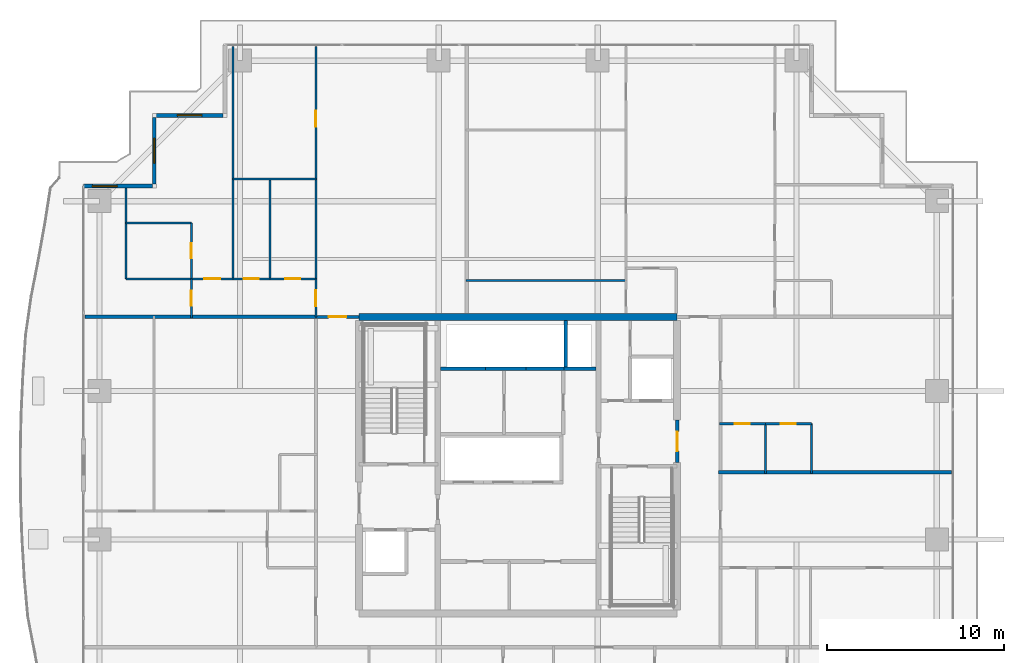
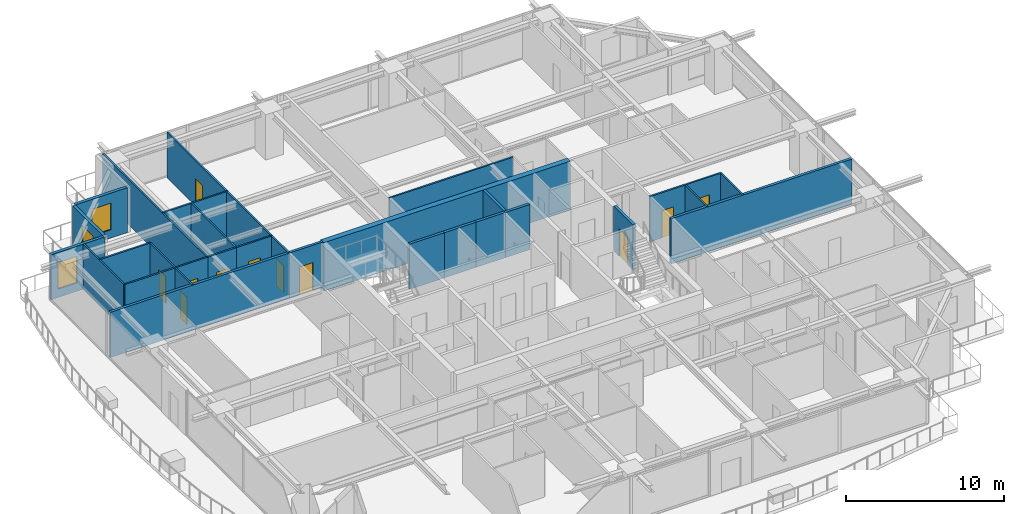
# One storey, part 27 of 34: 32 walls, 11 doors, 3 windows, 14 openings.
"""IFC4 building model written with IfcOpenShell, lengths in metres."""

from ifc_helpers import new_model, si_unit, direction, frame, frame_2d, origin, place, context, subcontext, project, spatial, rectangle, extrude, source, transform, mapped, material, layer, layer_set, type_object, element, fill, save


model = new_model("IFC4")

# Units and contexts
model_context = context("Model", 3, precision=1e-05, world=origin(), true_north=direction((0.0, 1.0)))
body_context = subcontext(model_context, "Body", "Model", "MODEL_VIEW")
ifc_project = project(units=[si_unit("LENGTHUNIT", "METRE"), si_unit("AREAUNIT", "SQUARE_METRE"), si_unit("VOLUMEUNIT", "CUBIC_METRE"), si_unit("PLANEANGLEUNIT", "RADIAN"), si_unit("MASSUNIT", "GRAM", prefix="KILO")], contexts=[model_context])

# Site, building, storey
site_placement = place(None, origin())
site = spatial("IfcSite", under=ifc_project, at=site_placement, CompositionType="ELEMENT")
building_placement = place(site_placement, origin())
building = spatial("IfcBuilding", under=site, at=building_placement, Name="Serunith Strait Residences", CompositionType="ELEMENT")
storey_placement = place(building_placement, frame((0.0, 0.0, 187.64990234375)))
storey = spatial("IfcBuildingStorey", under=building, at=storey_placement, Name="L47", CompositionType="ELEMENT", Elevation=187.64990234375)

# Wall, opening, window
ifc_material_1 = material(Name="Pale-Champagne Aluminium Insulated Panel", Category="aluminium")
ifc_layer_1 = layer(ifc_material_1, 0.219970703125, Name="Pale-Champagne Aluminium Insulated Panel")
ifc_layer_set_1 = layer_set([ifc_layer_1], Name="Pale-Champagne Aluminium Insulated Panel")
wall_type_1 = type_object("IfcWallType", Name="EW-ALUM-220", PredefinedType="ELEMENTEDWALL", material=ifc_layer_set_1)
wall_1_placement = place(storey_placement, frame((15.68994140625, 45.0, 0.0), z_axis=(0.0, 0.0, 1.0), x_axis=(-1.0, 0.0, 0.0)))
wall_1 = element("IfcWall", 1, at=wall_1_placement, inside=storey, type_object=wall_type_1, Name="L47 Girih Serrated Corner Wall 13", PredefinedType="ELEMENTEDWALL", context=body_context, shape_type="SweptSolid", body=[
    extrude(rectangle(XDim=3.780029296875, YDim=0.219970703125, at=frame_2d((1.89013671875, 0.0))), origin(), (0.0, 0.0, 1.0), 3.47509765625),
])
opening_1_placement = place(wall_1_placement, frame((1.18994140625, 0.0, 0.64990234375)))
opening_1 = element("IfcOpeningElement", 2, at=opening_1_placement, cuts=wall_1, Name="Opening W-03", PredefinedType="OPENING", context=body_context, shape_type="SweptSolid", body=[
    extrude(rectangle(XDim=1.39990234375, YDim=2.050048828125, at=frame_2d((0.699951171875, 1.02490234375))), frame((0.0, 0.1201171875, 0.0), z_axis=(0.0, -1.0, 0.0), x_axis=(1.0, 0.0, 0.0)), (0.0, 0.0, 1.0), 0.239990234375),
])
ifc_material_2 = material(Name="Ceramic-Fritted Operable Aluminium Window Glass", Category="aluminium")
window_type = type_object("IfcWindowType", Name="WIN-C3", PartitioningType="SINGLE_PANEL", PredefinedType="WINDOW", material=ifc_material_2)
shared_shape_1 = source(origin(), body_context, "Body", "SweptSolid", [
    extrude(rectangle(XDim=1.39990234375, YDim=2.050048828125, at=frame_2d((0.699951171875, 1.02490234375))), frame((0.0, 0.030029296875, 0.0), z_axis=(0.0, -1.0, 0.0), x_axis=(1.0, 0.0, 0.0)), (0.0, 0.0, 1.0), 0.06005859375),
])
window_1_placement = place(opening_1_placement, origin())
window_1 = element("IfcWindow", 3, at=window_1_placement, inside=storey, type_object=window_type, Name="L47 Corner Operable Fritted Window 13", OverallHeight=2.050048828125, OverallWidth=1.39990234375, PartitioningType="SINGLE_PANEL", PredefinedType="WINDOW", context=body_context, shape_type="MappedRepresentation", body=[
    mapped(shared_shape_1, transform((0.0, 0.0, 0.0), scale=1.0)),
])
fill(opening_1, window_1)

wall_2_placement = place(storey_placement, frame((11.800048828125, 44.889892578125, 0.0), z_axis=(0.0, 0.0, 1.0), x_axis=(0.0, -1.0, 0.0)))
wall_2 = element("IfcWall", 4, at=wall_2_placement, inside=storey, type_object=wall_type_1, Name="L47 Girih Serrated Corner Wall 14", PredefinedType="ELEMENTEDWALL", context=body_context, shape_type="SweptSolid", body=[
    extrude(rectangle(XDim=3.77978515625, YDim=0.219970703125, at=frame_2d((1.889892578125, 0.0))), origin(), (0.0, 0.0, 1.0), 3.47509765625),
])
opening_2_placement = place(wall_2_placement, frame((1.18994140625, 0.0, 0.64990234375)))
opening_2 = element("IfcOpeningElement", 5, at=opening_2_placement, cuts=wall_2, Name="Opening W-03", PredefinedType="OPENING", context=body_context, shape_type="SweptSolid", body=[
    extrude(rectangle(XDim=1.39990234375, YDim=2.050048828125, at=frame_2d((0.699951171875, 1.02490234375))), frame((0.0, 0.1201171875, 0.0), z_axis=(0.0, -1.0, 0.0), x_axis=(1.0, 0.0, 0.0)), (0.0, 0.0, 1.0), 0.239990234375),
])
window_2_placement = place(opening_2_placement, origin())
window_2 = element("IfcWindow", 6, at=window_2_placement, inside=storey, type_object=window_type, Name="L47 Corner Operable Fritted Window 14", OverallHeight=2.050048828125, OverallWidth=1.39990234375, PartitioningType="SINGLE_PANEL", PredefinedType="WINDOW", context=body_context, shape_type="MappedRepresentation", body=[
    mapped(shared_shape_1, transform((0.0, 0.0, 0.0), scale=1.0)),
])
fill(opening_2, window_2)

wall_3_placement = place(storey_placement, frame((11.68994140625, 41.0, 0.0), z_axis=(0.0, 0.0, 1.0), x_axis=(-1.0, 0.0, 0.0)))
wall_3 = element("IfcWall", 7, at=wall_3_placement, inside=storey, type_object=wall_type_1, Name="L47 Girih Serrated Corner Wall 15", PredefinedType="ELEMENTEDWALL", context=body_context, shape_type="SweptSolid", body=[
    extrude(rectangle(XDim=3.889892578125, YDim=0.219970703125, at=frame_2d((1.94482421875, 0.0))), origin(), (0.0, 0.0, 1.0), 3.47509765625),
])
opening_3_placement = place(wall_3_placement, frame((1.991943359375, 0.0, 0.64990234375)))
opening_3 = element("IfcOpeningElement", 8, at=opening_3_placement, cuts=wall_3, Name="Opening W-03", PredefinedType="OPENING", context=body_context, shape_type="SweptSolid", body=[
    extrude(rectangle(XDim=1.39990234375, YDim=2.050048828125, at=frame_2d((0.699951171875, 1.02490234375))), frame((0.0, 0.1201171875, 0.0), z_axis=(0.0, -1.0, 0.0), x_axis=(1.0, 0.0, 0.0)), (0.0, 0.0, 1.0), 0.239990234375),
])
window_3_placement = place(opening_3_placement, origin())
window_3 = element("IfcWindow", 9, at=window_3_placement, inside=storey, type_object=window_type, Name="L47 Corner Operable Fritted Window 15", OverallHeight=2.050048828125, OverallWidth=1.39990234375, PartitioningType="SINGLE_PANEL", PredefinedType="WINDOW", context=body_context, shape_type="MappedRepresentation", body=[
    mapped(shared_shape_1, transform((0.0, 0.0, 0.0), scale=1.0)),
])
fill(opening_3, window_3)

# Wall, opening, door
ifc_material_3 = material(Name="Fire-rated acoustic gypsum partition")
ifc_layer_2 = layer(ifc_material_3, 0.179931640625, Name="Fire-rated acoustic gypsum partition")
ifc_layer_set_2 = layer_set([ifc_layer_2], Name="Fire-rated acoustic gypsum partition")
wall_type_2 = type_object("IfcWallType", Name="IW-CORR-180", PredefinedType="PARTITIONING", material=ifc_layer_set_2)
wall_4_placement = place(storey_placement, frame((20.951904296875, 33.60009765625, 0.0), z_axis=(0.0, 0.0, 1.0), x_axis=(1.0, 0.0, 0.0)))
wall_4 = element("IfcWall", 10, at=wall_4_placement, inside=storey, type_object=wall_type_2, Name="L47 Partition Wall 027", PredefinedType="PARTITIONING", context=body_context, shape_type="SweptSolid", body=[
    extrude(rectangle(XDim=2.446044921875, YDim=0.179931640625, at=frame_2d((1.22314453125, 0.0))), origin(), (0.0, 0.0, 1.0), 3.489990234375),
])
opening_4_placement = place(wall_4_placement, frame((0.722900390625, 0.0, 0.0)))
opening_4 = element("IfcOpeningElement", 11, at=opening_4_placement, cuts=wall_4, Name="Opening D-APT1000", PredefinedType="OPENING", context=body_context, shape_type="SweptSolid", body=[
    extrude(rectangle(XDim=1.0, YDim=2.14990234375, at=frame_2d((0.5, 1.074951171875))), frame((0.0, 0.10009765625, 0.0), z_axis=(0.0, -1.0, 0.0), x_axis=(1.0, 0.0, 0.0)), (0.0, 0.0, 1.0), 0.199951171875),
])
ifc_material_4 = material(Name="Solid timber engineered fire door", Category="wood")
door_type_1 = type_object("IfcDoorType", Name="ID-APT-1000", OperationType="NOTDEFINED", PredefinedType="DOOR", material=ifc_material_4)
shared_shape_2 = source(origin(), body_context, "Body", "SweptSolid", [
    extrude(rectangle(XDim=1.0, YDim=2.14990234375, at=frame_2d((0.5, 1.074951171875))), frame((0.0, 0.02490234375, 0.0), z_axis=(0.0, -1.0, 0.0), x_axis=(1.0, 0.0, 0.0)), (0.0, 0.0, 1.0), 0.050048828125),
])
door_1_placement = place(opening_4_placement, origin())
door_1 = element("IfcDoor", 12, at=door_1_placement, inside=storey, type_object=door_type_1, Name="L47 Unit 02 Entrance Door", OperationType="SINGLE_SWING_LEFT", OverallHeight=2.14990234375, OverallWidth=1.0, PredefinedType="DOOR", context=body_context, shape_type="MappedRepresentation", body=[
    mapped(shared_shape_2, transform((0.0, 0.0, 0.0), scale=1.0)),
])
fill(opening_4, door_1)

ifc_material_5 = material(Name="Lightweight steel-stud gypsum partition", Category="steel")
ifc_layer_3 = layer(ifc_material_5, 0.1201171875, Name="Lightweight steel-stud gypsum partition")
ifc_layer_set_3 = layer_set([ifc_layer_3], Name="Lightweight steel-stud gypsum partition")
wall_type_3 = type_object("IfcWallType", Name="IW-PART-120", PredefinedType="PARTITIONING", material=ifc_layer_set_3)
wall_5_placement = place(storey_placement, frame((20.949951171875, 35.75, 0.0), z_axis=(0.0, 0.0, 1.0), x_axis=(0.0, -1.0, 0.0)))
wall_5 = element("IfcWall", 13, at=wall_5_placement, inside=storey, type_object=wall_type_3, Name="L47 Partition Wall 061", PredefinedType="PARTITIONING", context=body_context, shape_type="SweptSolid", body=[
    extrude(rectangle(XDim=2.14794921875, YDim=0.1201171875, at=frame_2d((1.073974609375, 0.0))), origin(), (0.0, 0.0, 1.0), 3.489990234375),
])
opening_5_placement = place(wall_5_placement, frame((0.64208984375, 0.0, 0.0)))
opening_5 = element("IfcOpeningElement", 14, at=opening_5_placement, cuts=wall_5, Name="Opening D-RM900", PredefinedType="OPENING", context=body_context, shape_type="SweptSolid", body=[
    extrude(rectangle(XDim=0.89990234375, YDim=2.10009765625, at=frame_2d((0.449951171875, 1.050048828125))), frame((0.0, 0.070068359375, 0.0), z_axis=(0.0, -1.0, 0.0), x_axis=(1.0, 0.0, 0.0)), (0.0, 0.0, 1.0), 0.14013671875),
])
ifc_material_6 = material(Name="Engineered timber flush bedroom door", Category="wood")
door_type_2 = type_object("IfcDoorType", Name="ID-ROOM-900", OperationType="NOTDEFINED", PredefinedType="DOOR", material=ifc_material_6)
shared_shape_3 = source(origin(), body_context, "Body", "SweptSolid", [
    extrude(rectangle(XDim=0.89990234375, YDim=2.10009765625, at=frame_2d((0.449951171875, 1.050048828125))), frame((0.0, 0.02490234375, 0.0), z_axis=(0.0, -1.0, 0.0), x_axis=(1.0, 0.0, 0.0)), (0.0, 0.0, 1.0), 0.050048828125),
])
door_2_placement = place(opening_5_placement, origin())
door_2 = element("IfcDoor", 15, at=door_2_placement, inside=storey, type_object=door_type_2, Name="L47 Hall W 4702 Door", OperationType="SINGLE_SWING_RIGHT", OverallHeight=2.10009765625, OverallWidth=0.89990234375, PredefinedType="DOOR", context=body_context, shape_type="MappedRepresentation", body=[
    mapped(shared_shape_3, transform((0.0, 0.0, 0.0), scale=1.0)),
])
fill(opening_5, door_2)

wall_6_placement = place(storey_placement, frame((20.949951171875, 48.905029296875, 0.0), z_axis=(0.0, 0.0, 1.0), x_axis=(0.0, -1.0, 0.0)))
wall_6 = element("IfcWall", 16, at=wall_6_placement, inside=storey, type_object=wall_type_3, Name="L47 Partition Wall 062", PredefinedType="PARTITIONING", context=body_context, shape_type="SweptSolid", body=[
    extrude(rectangle(XDim=7.5009765625, YDim=0.1201171875, at=frame_2d((3.75048828125, 0.0))), origin(), (0.0, 0.0, 1.0), 3.489990234375),
])
opening_6_placement = place(wall_6_placement, frame((3.631103515625, 0.0, 0.0)))
opening_6 = element("IfcOpeningElement", 17, at=opening_6_placement, cuts=wall_6, Name="Opening D-RM900", PredefinedType="OPENING", context=body_context, shape_type="SweptSolid", body=[
    extrude(rectangle(XDim=0.89990234375, YDim=2.10009765625, at=frame_2d((0.449951171875, 1.050048828125))), frame((0.0, 0.070068359375, 0.0), z_axis=(0.0, -1.0, 0.0), x_axis=(1.0, 0.0, 0.0)), (0.0, 0.0, 1.0), 0.14013671875),
])
door_3_placement = place(opening_6_placement, origin())
door_3 = element("IfcDoor", 18, at=door_3_placement, inside=storey, type_object=door_type_2, Name="L47 Formal Dining Room 1 4702 Door", OperationType="SINGLE_SWING_LEFT", OverallHeight=2.10009765625, OverallWidth=0.89990234375, PredefinedType="DOOR", context=body_context, shape_type="MappedRepresentation", body=[
    mapped(shared_shape_3, transform((0.0, 0.0, 0.0), scale=1.0)),
])
fill(opening_6, door_3)

# Walls
wall_7_placement = place(storey_placement, frame((20.949951171875, 41.402099609375, 0.0), z_axis=(0.0, 0.0, 1.0), x_axis=(0.0, -1.0, 0.0)))
element("IfcWall", 19, at=wall_7_placement, inside=storey, type_object=wall_type_3, Name="L47 Partition Wall 063", PredefinedType="PARTITIONING", context=body_context, shape_type="SweptSolid", body=[
    extrude(rectangle(XDim=5.650146484375, YDim=0.1201171875, at=frame_2d((2.8251953125, 0.0))), origin(), (0.0, 0.0, 1.0), 3.489990234375),
])
wall_8_placement = place(storey_placement, frame((16.25, 41.404052734375, 0.0), z_axis=(0.0, 0.0, 1.0), x_axis=(1.0, 0.0, 0.0)))
element("IfcWall", 20, at=wall_8_placement, inside=storey, type_object=wall_type_3, Name="L47 Partition Wall 064", PredefinedType="PARTITIONING", context=body_context, shape_type="SweptSolid", body=[
    extrude(rectangle(XDim=4.699951171875, YDim=0.1201171875, at=frame_2d((2.35009765625, 0.0))), origin(), (0.0, 0.0, 1.0), 3.489990234375),
])
wall_9_placement = place(storey_placement, frame((16.25, 48.905029296875, 0.0), z_axis=(0.0, 0.0, 1.0), x_axis=(0.0, -1.0, 0.0)))
element("IfcWall", 21, at=wall_9_placement, inside=storey, type_object=wall_type_3, Name="L47 Partition Wall 065", PredefinedType="PARTITIONING", context=body_context, shape_type="SweptSolid", body=[
    extrude(rectangle(XDim=13.155029296875, YDim=0.1201171875, at=frame_2d((6.57763671875, 0.0))), origin(), (0.0, 0.0, 1.0), 3.489990234375),
])
wall_10_placement = place(storey_placement, frame((18.35009765625, 41.404052734375, 0.0), z_axis=(0.0, 0.0, 1.0), x_axis=(0.0, -1.0, 0.0)))
element("IfcWall", 22, at=wall_10_placement, inside=storey, type_object=wall_type_3, Name="L47 Partition Wall 066", PredefinedType="PARTITIONING", context=body_context, shape_type="SweptSolid", body=[
    extrude(rectangle(XDim=5.654052734375, YDim=0.1201171875, at=frame_2d((2.8271484375, 0.0))), origin(), (0.0, 0.0, 1.0), 3.489990234375),
])

# Wall, opening, door
wall_11_placement = place(storey_placement, frame((16.25, 35.75, 0.0), z_axis=(0.0, 0.0, 1.0), x_axis=(1.0, 0.0, 0.0)))
wall_11 = element("IfcWall", 23, at=wall_11_placement, inside=storey, type_object=wall_type_3, Name="L47 Partition Wall 067", PredefinedType="PARTITIONING", context=body_context, shape_type="SweptSolid", body=[
    extrude(rectangle(XDim=2.10009765625, YDim=0.1201171875, at=frame_2d((1.050048828125, 0.0))), origin(), (0.0, 0.0, 1.0), 3.489990234375),
])
opening_7_placement = place(wall_11_placement, frame((0.625, 0.0, 0.0)))
opening_7 = element("IfcOpeningElement", 24, at=opening_7_placement, cuts=wall_11, Name="Opening D-BTH850", PredefinedType="OPENING", context=body_context, shape_type="SweptSolid", body=[
    extrude(rectangle(XDim=0.85009765625, YDim=2.10009765625, at=frame_2d((0.425048828125, 1.050048828125))), frame((0.0, 0.070068359375, 0.0), z_axis=(0.0, -1.0, 0.0), x_axis=(1.0, 0.0, 0.0)), (0.0, 0.0, 1.0), 0.14013671875),
])
ifc_material_7 = material(Name="Moisture-resistant timber bathroom door", Category="wood")
door_type_3 = type_object("IfcDoorType", Name="ID-BATH-850", OperationType="NOTDEFINED", PredefinedType="DOOR", material=ifc_material_7)
shared_shape_4 = source(origin(), body_context, "Body", "SweptSolid", [
    extrude(rectangle(XDim=0.85009765625, YDim=2.10009765625, at=frame_2d((0.425048828125, 1.050048828125))), frame((0.0, 0.02490234375, 0.0), z_axis=(0.0, -1.0, 0.0), x_axis=(1.0, 0.0, 0.0)), (0.0, 0.0, 1.0), 0.050048828125),
])
door_4_placement = place(opening_7_placement, origin())
door_4 = element("IfcDoor", 25, at=door_4_placement, inside=storey, type_object=door_type_3, Name="L47 Bathroom 4702 Door", OperationType="SINGLE_SWING_RIGHT", OverallHeight=2.10009765625, OverallWidth=0.85009765625, PredefinedType="DOOR", context=body_context, shape_type="MappedRepresentation", body=[
    mapped(shared_shape_4, transform((0.0, 0.0, 0.0), scale=1.0)),
])
fill(opening_7, door_4)

wall_12_placement = place(storey_placement, frame((18.35205078125, 35.75, 0.0), z_axis=(0.0, 0.0, 1.0), x_axis=(1.0, 0.0, 0.0)))
wall_12 = element("IfcWall", 26, at=wall_12_placement, inside=storey, type_object=wall_type_3, Name="L47 Partition Wall 068", PredefinedType="PARTITIONING", context=body_context, shape_type="SweptSolid", body=[
    extrude(rectangle(XDim=2.597900390625, YDim=0.1201171875, at=frame_2d((1.298828125, 0.0))), origin(), (0.0, 0.0, 1.0), 3.489990234375),
])
opening_8_placement = place(wall_12_placement, frame((0.8740234375, 0.0, 0.0)))
opening_8 = element("IfcOpeningElement", 27, at=opening_8_placement, cuts=wall_12, Name="Opening D-RM850", PredefinedType="OPENING", context=body_context, shape_type="SweptSolid", body=[
    extrude(rectangle(XDim=0.85009765625, YDim=2.10009765625, at=frame_2d((0.425048828125, 1.050048828125))), frame((0.0, 0.070068359375, 0.0), z_axis=(0.0, -1.0, 0.0), x_axis=(1.0, 0.0, 0.0)), (0.0, 0.0, 1.0), 0.14013671875),
])
ifc_material_8 = material(Name="Engineered timber flush study and kitchen door", Category="wood")
door_type_4 = type_object("IfcDoorType", Name="ID-ROOM-850", OperationType="NOTDEFINED", PredefinedType="DOOR", material=ifc_material_8)
door_5_placement = place(opening_8_placement, origin())
door_5 = element("IfcDoor", 28, at=door_5_placement, inside=storey, type_object=door_type_4, Name="L47 Kitchen 4702 Door", OperationType="SINGLE_SWING_LEFT", OverallHeight=2.10009765625, OverallWidth=0.85009765625, PredefinedType="DOOR", context=body_context, shape_type="MappedRepresentation", body=[
    mapped(shared_shape_4, transform((0.0, 0.0, 0.0), scale=1.0)),
])
fill(opening_8, door_5)

wall_13_placement = place(storey_placement, frame((13.89990234375, 35.75, 0.0), z_axis=(0.0, 0.0, 1.0), x_axis=(1.0, 0.0, 0.0)))
wall_13 = element("IfcWall", 29, at=wall_13_placement, inside=storey, type_object=wall_type_3, Name="L47 Partition Wall 069", PredefinedType="PARTITIONING", context=body_context, shape_type="SweptSolid", body=[
    extrude(rectangle(XDim=2.34814453125, YDim=0.1201171875, at=frame_2d((1.174072265625, 0.0))), origin(), (0.0, 0.0, 1.0), 3.489990234375),
])
opening_9_placement = place(wall_13_placement, frame((0.72412109375, 0.0, 0.0)))
opening_9 = element("IfcOpeningElement", 30, at=opening_9_placement, cuts=wall_13, Name="Opening D-RM900", PredefinedType="OPENING", context=body_context, shape_type="SweptSolid", body=[
    extrude(rectangle(XDim=0.89990234375, YDim=2.10009765625, at=frame_2d((0.449951171875, 1.050048828125))), frame((0.0, 0.070068359375, 0.0), z_axis=(0.0, -1.0, 0.0), x_axis=(1.0, 0.0, 0.0)), (0.0, 0.0, 1.0), 0.14013671875),
])
door_6_placement = place(opening_9_placement, origin())
door_6 = element("IfcDoor", 31, at=door_6_placement, inside=storey, type_object=door_type_2, Name="L47 Master Bedroom W 4702 Door", OperationType="SINGLE_SWING_RIGHT", OverallHeight=2.10009765625, OverallWidth=0.89990234375, PredefinedType="DOOR", context=body_context, shape_type="MappedRepresentation", body=[
    mapped(shared_shape_3, transform((0.0, 0.0, 0.0), scale=1.0)),
])
fill(opening_9, door_6)

# Walls
wall_14_placement = place(storey_placement, frame((10.199951171875, 38.923095703125, 0.0), z_axis=(0.0, 0.0, 1.0), x_axis=(1.0, 0.0, 0.0)))
element("IfcWall", 32, at=wall_14_placement, inside=storey, type_object=wall_type_3, Name="L47 Partition Wall 070", PredefinedType="PARTITIONING", context=body_context, shape_type="SweptSolid", body=[
    extrude(rectangle(XDim=3.699951171875, YDim=0.1201171875, at=frame_2d((1.85009765625, 0.0))), origin(), (0.0, 0.0, 1.0), 3.489990234375),
])
wall_15_placement = place(storey_placement, frame((10.199951171875, 40.905029296875, 0.0), z_axis=(0.0, 0.0, 1.0), x_axis=(0.0, -1.0, 0.0)))
element("IfcWall", 33, at=wall_15_placement, inside=storey, type_object=wall_type_3, Name="L47 Partition Wall 071", PredefinedType="PARTITIONING", context=body_context, shape_type="SweptSolid", body=[
    extrude(rectangle(XDim=5.155029296875, YDim=0.1201171875, at=frame_2d((2.57763671875, 0.0))), origin(), (0.0, 0.0, 1.0), 3.489990234375),
])
wall_16_placement = place(storey_placement, frame((10.199951171875, 35.75, 0.0), z_axis=(0.0, 0.0, 1.0), x_axis=(1.0, 0.0, 0.0)))
element("IfcWall", 34, at=wall_16_placement, inside=storey, type_object=wall_type_3, Name="L47 Partition Wall 072", PredefinedType="PARTITIONING", context=body_context, shape_type="SweptSolid", body=[
    extrude(rectangle(XDim=3.697998046875, YDim=0.1201171875, at=frame_2d((1.84912109375, 0.0))), origin(), (0.0, 0.0, 1.0), 3.489990234375),
])

# Wall, opening, door
wall_17_placement = place(storey_placement, frame((13.89990234375, 38.923095703125, 0.0), z_axis=(0.0, 0.0, 1.0), x_axis=(0.0, -1.0, 0.0)))
wall_17 = element("IfcWall", 35, at=wall_17_placement, inside=storey, type_object=wall_type_3, Name="L47 Partition Wall 073", PredefinedType="PARTITIONING", context=body_context, shape_type="SweptSolid", body=[
    extrude(rectangle(XDim=3.173095703125, YDim=0.1201171875, at=frame_2d((1.58642578125, 0.0))), origin(), (0.0, 0.0, 1.0), 3.489990234375),
])
opening_10_placement = place(wall_17_placement, frame((1.162109375, 0.0, 0.0)))
opening_10 = element("IfcOpeningElement", 36, at=opening_10_placement, cuts=wall_17, Name="Opening D-BTH850", PredefinedType="OPENING", context=body_context, shape_type="SweptSolid", body=[
    extrude(rectangle(XDim=0.85009765625, YDim=2.10009765625, at=frame_2d((0.425048828125, 1.050048828125))), frame((0.0, 0.070068359375, 0.0), z_axis=(0.0, -1.0, 0.0), x_axis=(1.0, 0.0, 0.0)), (0.0, 0.0, 1.0), 0.14013671875),
])
door_7_placement = place(opening_10_placement, origin())
door_7 = element("IfcDoor", 37, at=door_7_placement, inside=storey, type_object=door_type_3, Name="L47 En-suite Bathroom W 4702 Door", OperationType="SINGLE_SWING_LEFT", OverallHeight=2.10009765625, OverallWidth=0.85009765625, PredefinedType="DOOR", context=body_context, shape_type="MappedRepresentation", body=[
    mapped(shared_shape_4, transform((0.0, 0.0, 0.0), scale=1.0)),
])
fill(opening_10, door_7)

wall_18_placement = place(storey_placement, frame((13.89990234375, 35.748046875, 0.0), z_axis=(0.0, 0.0, 1.0), x_axis=(0.0, -1.0, 0.0)))
wall_18 = element("IfcWall", 38, at=wall_18_placement, inside=storey, type_object=wall_type_3, Name="L47 Partition Wall 074", PredefinedType="PARTITIONING", context=body_context, shape_type="SweptSolid", body=[
    extrude(rectangle(XDim=2.2080078125, YDim=0.1201171875, at=frame_2d((1.10400390625, 0.0))), origin(), (0.0, 0.0, 1.0), 3.489990234375),
])
opening_11_placement = place(wall_18_placement, frame((0.678955078125, 0.0, 0.0)))
opening_11 = element("IfcOpeningElement", 39, at=opening_11_placement, cuts=wall_18, Name="Opening D-RM850", PredefinedType="OPENING", context=body_context, shape_type="SweptSolid", body=[
    extrude(rectangle(XDim=0.85009765625, YDim=2.10009765625, at=frame_2d((0.425048828125, 1.050048828125))), frame((0.0, 0.070068359375, 0.0), z_axis=(0.0, -1.0, 0.0), x_axis=(1.0, 0.0, 0.0)), (0.0, 0.0, 1.0), 0.14013671875),
])
door_8_placement = place(opening_11_placement, origin())
door_8 = element("IfcDoor", 40, at=door_8_placement, inside=storey, type_object=door_type_4, Name="L47 Wardrobe W 4702 Door", OperationType="SINGLE_SWING_RIGHT", OverallHeight=2.10009765625, OverallWidth=0.85009765625, PredefinedType="DOOR", context=body_context, shape_type="MappedRepresentation", body=[
    mapped(shared_shape_4, transform((0.0, 0.0, 0.0), scale=1.0)),
])
fill(opening_11, door_8)

# Wall
wall_19_placement = place(storey_placement, frame((29.43994140625, 35.64990234375, 0.0), z_axis=(0.0, 0.0, 1.0), x_axis=(1.0, 0.0, 0.0)))
element("IfcWall", 41, at=wall_19_placement, inside=storey, type_object=wall_type_3, Name="L47 Partition Wall 079", PredefinedType="PARTITIONING", context=body_context, shape_type="SweptSolid", body=[
    extrude(rectangle(XDim=9.06005859375, YDim=0.1201171875, at=frame_2d((4.530029296875, 0.0))), origin(), (0.0, 0.0, 1.0), 3.489990234375),
])

# Wall, opening, door
wall_20_placement = place(storey_placement, frame((49.0, 27.550048828125, 0.0), z_axis=(0.0, 0.0, 1.0), x_axis=(-1.0, 0.0, 0.0)))
wall_20 = element("IfcWall", 42, at=wall_20_placement, inside=storey, type_object=wall_type_3, Name="L47 Partition Wall 101", PredefinedType="PARTITIONING", context=body_context, shape_type="SweptSolid", body=[
    extrude(rectangle(XDim=2.60009765625, YDim=0.1201171875, at=frame_2d((1.300048828125, 0.0))), origin(), (0.0, 0.0, 1.0), 3.489990234375),
])
opening_12_placement = place(wall_20_placement, frame((0.875, 0.0, 0.0)))
opening_12 = element("IfcOpeningElement", 43, at=opening_12_placement, cuts=wall_20, Name="Opening D-RM850", PredefinedType="OPENING", context=body_context, shape_type="SweptSolid", body=[
    extrude(rectangle(XDim=0.85009765625, YDim=2.10009765625, at=frame_2d((0.425048828125, 1.050048828125))), frame((0.0, 0.070068359375, 0.0), z_axis=(0.0, -1.0, 0.0), x_axis=(1.0, 0.0, 0.0)), (0.0, 0.0, 1.0), 0.14013671875),
])
door_9_placement = place(opening_12_placement, origin())
door_9 = element("IfcDoor", 44, at=door_9_placement, inside=storey, type_object=door_type_4, Name="L47 Kitchen 4706 Door", OperationType="SINGLE_SWING_LEFT", OverallHeight=2.10009765625, OverallWidth=0.85009765625, PredefinedType="DOOR", context=body_context, shape_type="MappedRepresentation", body=[
    mapped(shared_shape_4, transform((0.0, 0.0, 0.0), scale=1.0)),
])
fill(opening_12, door_9)

wall_21_placement = place(storey_placement, frame((46.39794921875, 27.550048828125, 0.0), z_axis=(0.0, 0.0, 1.0), x_axis=(-1.0, 0.0, 0.0)))
wall_21 = element("IfcWall", 45, at=wall_21_placement, inside=storey, type_object=wall_type_3, Name="L47 Partition Wall 102", PredefinedType="PARTITIONING", context=body_context, shape_type="SweptSolid", body=[
    extrude(rectangle(XDim=2.60791015625, YDim=0.1201171875, at=frame_2d((1.303955078125, 0.0))), origin(), (0.0, 0.0, 1.0), 3.489990234375),
])
opening_13_placement = place(wall_21_placement, frame((0.87890625, 0.0, 0.0)))
opening_13 = element("IfcOpeningElement", 46, at=opening_13_placement, cuts=wall_21, Name="Opening D-BTH850", PredefinedType="OPENING", context=body_context, shape_type="SweptSolid", body=[
    extrude(rectangle(XDim=0.85009765625, YDim=2.10009765625, at=frame_2d((0.425048828125, 1.050048828125))), frame((0.0, 0.070068359375, 0.0), z_axis=(0.0, -1.0, 0.0), x_axis=(1.0, 0.0, 0.0)), (0.0, 0.0, 1.0), 0.14013671875),
])
door_10_placement = place(opening_13_placement, origin())
door_10 = element("IfcDoor", 47, at=door_10_placement, inside=storey, type_object=door_type_3, Name="L47 Bathroom 4706 Door", OperationType="SINGLE_SWING_RIGHT", OverallHeight=2.10009765625, OverallWidth=0.85009765625, PredefinedType="DOOR", context=body_context, shape_type="MappedRepresentation", body=[
    mapped(shared_shape_4, transform((0.0, 0.0, 0.0), scale=1.0)),
])
fill(opening_13, door_10)

# Walls
for number, where, z_axis, x_axis, name in (
    (48, (46.39990234375, 24.739990234375, 0.0), (0.0, 0.0, 1.0), (0.0, 1.0, 0.0), "L47 Partition Wall 103"),
    (49, (49.0, 24.739990234375, 0.0), (0.0, 0.0, 1.0), (0.0, 1.0, 0.0), "L47 Partition Wall 104"),
):
    element("IfcWall", number, at=place(storey_placement, frame(where, z_axis=z_axis, x_axis=x_axis)), inside=storey, type_object=wall_type_3, Name=name, PredefinedType="PARTITIONING", context=body_context, shape_type="SweptSolid", body=[
        extrude(rectangle(XDim=2.81005859375, YDim=0.1201171875, at=frame_2d((1.405029296875, 0.0))), origin(), (0.0, 0.0, 1.0), 3.489990234375),
    ])
ifc_material_9 = material(Name="Twin-stud acoustic gypsum board partition")
ifc_layer_4 = layer(ifc_material_9, 0.199951171875, Name="Twin-stud acoustic gypsum board partition")
ifc_layer_set_4 = layer_set([ifc_layer_4], Name="Twin-stud acoustic gypsum board partition")
wall_type_4 = type_object("IfcWallType", Name="IW-PARTY-200", PredefinedType="PARTITIONING", material=ifc_layer_set_4)
wall_22_placement = place(storey_placement, frame((43.72998046875, 24.800048828125, 0.0), z_axis=(0.0, 0.0, 1.0), x_axis=(1.0, 0.0, 0.0)))
element("IfcWall", 50, at=wall_22_placement, inside=storey, type_object=wall_type_4, Name="L47 Partition Wall 019", PredefinedType="PARTITIONING", context=body_context, shape_type="SweptSolid", body=[
    extrude(rectangle(XDim=13.18798828125, YDim=0.199951171875, at=frame_2d((6.593994140625, 0.0))), origin(), (0.0, 0.0, 1.0), 3.489990234375),
])
wall_23_placement = place(storey_placement, frame((7.882080078125, 33.60009765625, 0.0), z_axis=(0.0, 0.0, 1.0), x_axis=(1.0, 0.0, 0.0)))
element("IfcWall", 51, at=wall_23_placement, inside=storey, type_object=wall_type_4, Name="L47 Partition Wall 022", PredefinedType="PARTITIONING", context=body_context, shape_type="SweptSolid", body=[
    extrude(rectangle(XDim=13.06787109375, YDim=0.199951171875, at=frame_2d((6.533935546875, 0.0))), origin(), (0.0, 0.0, 1.0), 3.489990234375),
])
ifc_material_10 = material(Name="Autoclaved aerated concrete blockwork", Category="masonry")
ifc_layer_5 = layer(ifc_material_10, 0.199951171875, Name="Autoclaved aerated concrete blockwork")
ifc_layer_set_5 = layer_set([ifc_layer_5], Name="Autoclaved aerated concrete blockwork")
wall_type_5 = type_object("IfcWallType", Name="IW-SHAFT-200", PredefinedType="STANDARD", material=ifc_layer_set_5)
wall_24_placement = place(storey_placement, frame((28.0, 30.64990234375, 0.0), z_axis=(0.0, 0.0, 1.0), x_axis=(1.0, 0.0, 0.0)))
element("IfcWall", 52, at=wall_24_placement, inside=storey, type_object=wall_type_5, Name="L47 PL-7 South Shaft Wall", PredefinedType="STANDARD", context=body_context, shape_type="SweptSolid", body=[
    extrude(rectangle(XDim=2.550048828125, YDim=0.199951171875, at=frame_2d((1.27490234375, 0.0))), origin(), (0.0, 0.0, 1.0), 3.489990234375),
])
wall_25_placement = place(storey_placement, frame((30.550048828125, 30.64990234375, 0.0), z_axis=(0.0, 0.0, 1.0), x_axis=(1.0, 0.0, 0.0)))
element("IfcWall", 53, at=wall_25_placement, inside=storey, type_object=wall_type_5, Name="L47 PL-8 South Shaft Wall", PredefinedType="STANDARD", context=body_context, shape_type="SweptSolid", body=[
    extrude(rectangle(XDim=2.300048828125, YDim=0.199951171875, at=frame_2d((1.14990234375, 0.0))), origin(), (0.0, 0.0, 1.0), 3.489990234375),
])
wall_26_placement = place(storey_placement, frame((32.85009765625, 30.64990234375, 0.0), z_axis=(0.0, 0.0, 1.0), x_axis=(1.0, 0.0, 0.0)))
element("IfcWall", 54, at=wall_26_placement, inside=storey, type_object=wall_type_5, Name="L47 PL-9 South Shaft Wall", PredefinedType="STANDARD", context=body_context, shape_type="SweptSolid", body=[
    extrude(rectangle(XDim=2.14990234375, YDim=0.199951171875, at=frame_2d((1.074951171875, 0.0))), origin(), (0.0, 0.0, 1.0), 3.489990234375),
])
wall_27_placement = place(storey_placement, frame((35.0, 30.64990234375, 0.0), z_axis=(0.0, 0.0, 1.0), x_axis=(1.0, 0.0, 0.0)))
element("IfcWall", 55, at=wall_27_placement, inside=storey, type_object=wall_type_5, Name="L47 SL-1 South Shaft Wall", PredefinedType="STANDARD", context=body_context, shape_type="SweptSolid", body=[
    extrude(rectangle(XDim=1.800048828125, YDim=0.199951171875, at=frame_2d((0.89990234375, 0.0))), origin(), (0.0, 0.0, 1.0), 3.489990234375),
])
wall_28_placement = place(storey_placement, frame((35.10009765625, 30.75, 0.0), z_axis=(0.0, 0.0, 1.0), x_axis=(0.0, 1.0, 0.0)))
element("IfcWall", 56, at=wall_28_placement, inside=storey, type_object=wall_type_5, Name="L47 SL-1 West Shaft Wall", PredefinedType="STANDARD", context=body_context, shape_type="SweptSolid", body=[
    extrude(rectangle(XDim=2.64990234375, YDim=0.199951171875, at=frame_2d((1.324951171875, 0.0))), origin(), (0.0, 0.0, 1.0), 3.489990234375),
])

# Wall, opening, door
wall_29_placement = place(storey_placement, frame((41.39990234375, 25.35205078125, 0.0), z_axis=(0.0, 0.0, 1.0), x_axis=(0.0, 1.0, 0.0)))
wall_29 = element("IfcWall", 57, at=wall_29_placement, inside=storey, type_object=wall_type_5, Name="L47 Partition Wall 008", PredefinedType="STANDARD", context=body_context, shape_type="SweptSolid", body=[
    extrude(rectangle(XDim=2.39599609375, YDim=0.199951171875, at=frame_2d((1.197998046875, 0.0))), origin(), (0.0, 0.0, 1.0), 3.489990234375),
])
opening_14_placement = place(wall_29_placement, frame((0.64794921875, 0.0, 0.0)))
opening_14 = element("IfcOpeningElement", 58, at=opening_14_placement, cuts=wall_29, Name="Opening FD-FFL", PredefinedType="OPENING", context=body_context, shape_type="SweptSolid", body=[
    extrude(rectangle(XDim=1.10009765625, YDim=2.14990234375, at=frame_2d((0.550048828125, 1.074951171875))), frame((0.0, 0.10986328125, 0.0), z_axis=(0.0, -1.0, 0.0), x_axis=(1.0, 0.0, 0.0)), (0.0, 0.0, 1.0), 0.219970703125),
])
ifc_material_11 = material(Name="Glazed steel smoke-lobby fire door", Category="steel")
door_type_5 = type_object("IfcDoorType", Name="FD-FFL-1100", OperationType="NOTDEFINED", PredefinedType="DOOR", material=ifc_material_11)
shared_shape_5 = source(origin(), body_context, "Body", "SweptSolid", [
    extrude(rectangle(XDim=1.10009765625, YDim=2.14990234375, at=frame_2d((0.550048828125, 1.074951171875))), frame((0.0, 0.02490234375, 0.0), z_axis=(0.0, -1.0, 0.0), x_axis=(1.0, 0.0, 0.0)), (0.0, 0.0, 1.0), 0.050048828125),
])
door_11_placement = place(opening_14_placement, origin())
door_11 = element("IfcDoor", 59, at=door_11_placement, inside=storey, type_object=door_type_5, Name="L47 FFL-2 Corridor Fire Door", OperationType="SINGLE_SWING_LEFT", OverallHeight=2.14990234375, OverallWidth=1.10009765625, PredefinedType="DOOR", context=body_context, shape_type="MappedRepresentation", body=[
    mapped(shared_shape_5, transform((0.0, 0.0, 0.0), scale=1.0)),
])
fill(opening_14, door_11)

# Wall
ifc_material_12 = material(Name="Concrete C70/85", Category="concrete")
ifc_layer_6 = layer(ifc_material_12, 0.39990234375, Name="Concrete C70/85")
ifc_layer_set_6 = layer_set([ifc_layer_6], Name="Concrete C70/85")
wall_type_6 = type_object("IfcWallType", Name="SW-400-C70", PredefinedType="SHEAR", material=ifc_layer_set_6)
wall_30_placement = place(storey_placement, frame((41.39990234375, 33.60009765625, -0.260009765625), z_axis=(0.0, 0.0, 1.0), x_axis=(-1.0, 0.0, 0.0)))
element("IfcWall", 60, at=wall_30_placement, inside=storey, type_object=wall_type_6, Name="L47 Core North Shear Wall", PredefinedType="SHEAR", context=body_context, shape_type="SweptSolid", body=[
    extrude(rectangle(XDim=18.0, YDim=0.39990234375, at=frame_2d((9.0, 0.0))), origin(), (0.0, 0.0, 1.0), 3.748046875),
])

save(model, "model.ifc")
